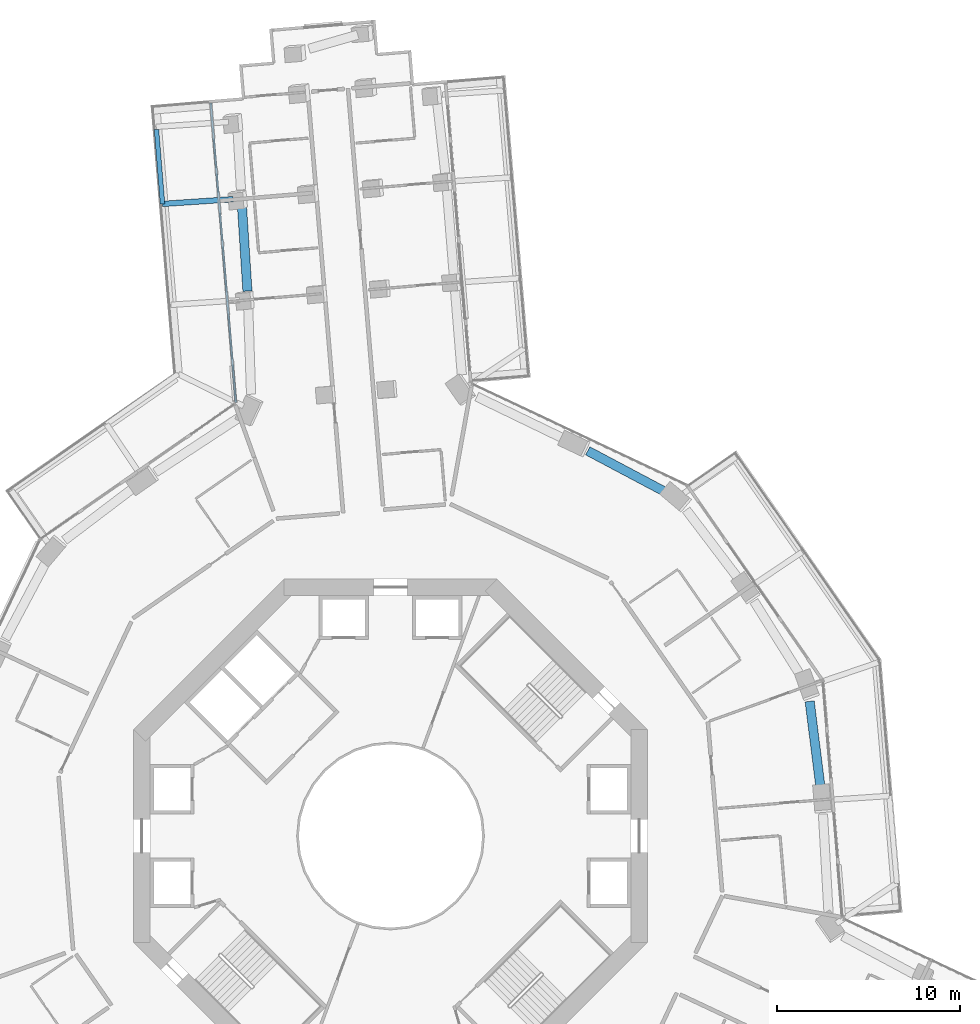
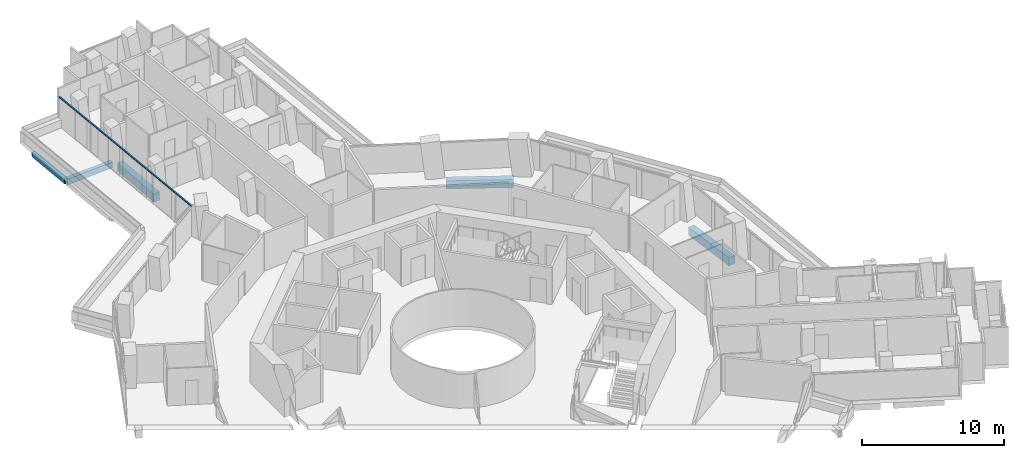
# One storey, part 8 of 26: 5 beams, 1 member, 1 element without a shape of its own.
"""IFC4 building model written with IfcOpenShell, lengths in metres."""

from ifc_helpers import new_model, si_unit, direction, frame, origin, origin_2d, place, context, subcontext, project, spatial, rectangle, extrude, material, layer, layer_set, material_profile, profile_set, type_object, element, aggregate, save


model = new_model("IFC4")

# Units and contexts
model_context = context("Model", 3, precision=1e-05, world=origin(), true_north=direction((0.0, 1.0)))
body_context = subcontext(model_context, "Body", "Model", "MODEL_VIEW")
ifc_project = project(units=[si_unit("LENGTHUNIT", "METRE"), si_unit("AREAUNIT", "SQUARE_METRE"), si_unit("VOLUMEUNIT", "CUBIC_METRE"), si_unit("PLANEANGLEUNIT", "RADIAN"), si_unit("MASSUNIT", "GRAM", prefix="KILO")], contexts=[model_context])

# Site, building, storey
site_placement = place(None, origin())
site = spatial("IfcSite", under=ifc_project, at=site_placement, CompositionType="ELEMENT")
building_placement = place(site_placement, origin())
building = spatial("IfcBuilding", under=site, at=building_placement, Name="Verdalira Terraces Hotel", CompositionType="ELEMENT")
storey_placement = place(building_placement, frame((0.0, 0.0, 53.0)))
storey = spatial("IfcBuildingStorey", under=building, at=storey_placement, Name="L11", CompositionType="ELEMENT", Elevation=53.0)

# Beams
ifc_material_1 = material(Name="Concrete C40", Category="concrete")
ifc_material_profile_1 = material_profile(ifc_material_1, rectangle(XDim=0.300049, YDim=0.5, at=origin_2d()), Name="RC 300X500")
ifc_profile_set_1 = profile_set([ifc_material_profile_1], Name="Concrete C40")
beam_type_1 = type_object("IfcBeamType", Name="Balcony cantilever beam RC 300X500 C40", PredefinedType="BEAM", material=ifc_profile_set_1)
beam_1_placement = place(storey_placement, frame((-8.581787, 34.710693, -0.560059), z_axis=(-0.99775506, -0.066968955, 0.0), x_axis=(0.066968955, -0.99775506, 0.0)))
element("IfcBeam", 1, at=beam_1_placement, inside=storey, type_object=beam_type_1, Name="Balcony cantilever beam R10-5", PredefinedType="BEAM", context=body_context, shape_type="SweptSolid", body=[
    extrude(rectangle(XDim=0.300049, YDim=0.5, at=origin_2d()), origin(), (0.0, 0.0, 1.0), 3.853271),
])
ifc_material_2 = material(Name="Concrete C40", Category="concrete")
ifc_material_profile_2 = material_profile(ifc_material_2, rectangle(XDim=0.25, YDim=0.449951, at=origin_2d()), Name="RC 250X450")
ifc_profile_set_2 = profile_set([ifc_material_profile_2], Name="Concrete C40")
beam_type_2 = type_object("IfcBeamType", Name="Balcony edge beam RC 250X450 C40", PredefinedType="BEAM", material=ifc_profile_set_2)
beam_2_placement = place(storey_placement, frame((-12.757812, 38.507812, -0.534912), z_axis=(0.081426483, -0.996679351, 0.0), x_axis=(0.996679351, 0.081426483, 0.0)))
element("IfcBeam", 2, at=beam_2_placement, inside=storey, type_object=beam_type_2, Name="Balcony edge beam R10-3", PredefinedType="BEAM", context=body_context, shape_type="SweptSolid", body=[
    extrude(rectangle(XDim=0.25, YDim=0.449951, at=origin_2d()), origin(), (0.0, 0.0, 1.0), 4.068604),
])

# Curtain wall, member
ifc_material_3 = material(Name="Clear glass", Category="glass")
ifc_layer = layer(ifc_material_3, 0.14990234375)
ifc_layer_set = layer_set([ifc_layer], Name="CW2 curtain wall")
curtain_wall_type = type_object("IfcCurtainWallType", Name="CW2 curtain wall", PredefinedType="NOTDEFINED", material=ifc_layer_set)
curtain_wall_placement = place(storey_placement, origin())
curtain_wall = element("IfcCurtainWall", 3, at=curtain_wall_placement, inside=storey, type_object=curtain_wall_type, Name="CW2 curtain wall L11 edge 10", PredefinedType="NOTDEFINED")
ifc_material_4 = material(Name="Terracotta frame", Category="masonry")
ifc_material_profile_3 = material_profile(ifc_material_4, rectangle(XDim=0.11499, YDim=0.064941, at=origin_2d()), Name="TR 65x115")
ifc_profile_set_3 = profile_set([ifc_material_profile_3], Name="Terracotta frame")
member_type = type_object("IfcMemberType", Name="CW2 transom 65x115", PredefinedType="USERDEFINED", material=ifc_profile_set_3)
member_placement = place(storey_placement, frame((-9.803223, 39.960938, 2.45752), z_axis=(0.083676913, -0.996492937, 0.0), x_axis=(0.996492937, 0.083676913, 0.0)))
member = element("IfcMember", 4, at=member_placement, type_object=member_type, Name="CW2 transom", ObjectType="TRANSOM", PredefinedType="USERDEFINED", context=body_context, shape_type="SweptSolid", body=[
    extrude(rectangle(XDim=0.11499, YDim=0.064941, at=origin_2d()), origin(), (0.0, 0.0, 1.0), 16.382568),
])
aggregate(curtain_wall, [member])

# Beams
ifc_material_5 = material(Name="Concrete C70", Category="concrete")
ifc_material_profile_4 = material_profile(ifc_material_5, rectangle(XDim=0.5, YDim=0.699951, at=origin_2d()), Name="RC 500X700")
ifc_profile_set_4 = profile_set([ifc_material_profile_4], Name="Concrete C70")
beam_type_3 = type_object("IfcBeamType", Name="Spandrel beam RC 500X700 C70", PredefinedType="SPANDREL", material=ifc_profile_set_4)
beam_3_placement = place(storey_placement, frame((-8.096436, 34.314941, -0.659912), z_axis=(0.064219408, -0.997935803, 0.0), x_axis=(0.997935803, 0.064219408, 0.0)))
element("IfcBeam", 5, at=beam_3_placement, inside=storey, type_object=beam_type_3, Name="Spandrel beam B06", PredefinedType="SPANDREL", context=body_context, shape_type="SweptSolid", body=[
    extrude(rectangle(XDim=0.5, YDim=0.699951, at=origin_2d()), origin(), (0.0, 0.0, 1.0), 4.622803),
])
beam_4_placement = place(storey_placement, frame((23.44043, 2.620605, -0.659912), z_axis=(-0.12506463, 0.992148597, 0.0), x_axis=(-0.992148597, -0.12506463, 0.0)))
element("IfcBeam", 6, at=beam_4_placement, inside=storey, type_object=beam_type_3, Name="Spandrel beam B31", PredefinedType="SPANDREL", context=body_context, shape_type="SweptSolid", body=[
    extrude(rectangle(XDim=0.5, YDim=0.699951, at=origin_2d()), origin(), (0.0, 0.0, 1.0), 4.755371),
])
beam_5_placement = place(storey_placement, frame((14.953613, 18.764404, -0.659912), z_axis=(-0.883394532, 0.468630026, 0.0), x_axis=(-0.468630026, -0.883394532, 0.0)))
element("IfcBeam", 7, at=beam_5_placement, inside=storey, type_object=beam_type_3, Name="Spandrel beam B34", PredefinedType="SPANDREL", context=body_context, shape_type="SweptSolid", body=[
    extrude(rectangle(XDim=0.5, YDim=0.699951, at=origin_2d()), origin(), (0.0, 0.0, 1.0), 4.759033),
])

save(model, "model.ifc")
